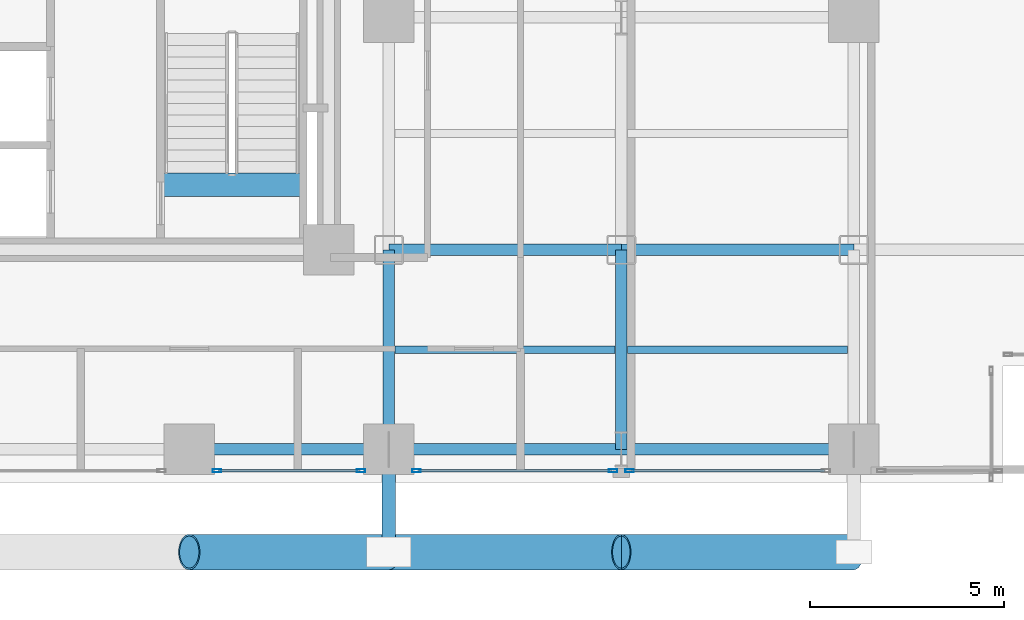
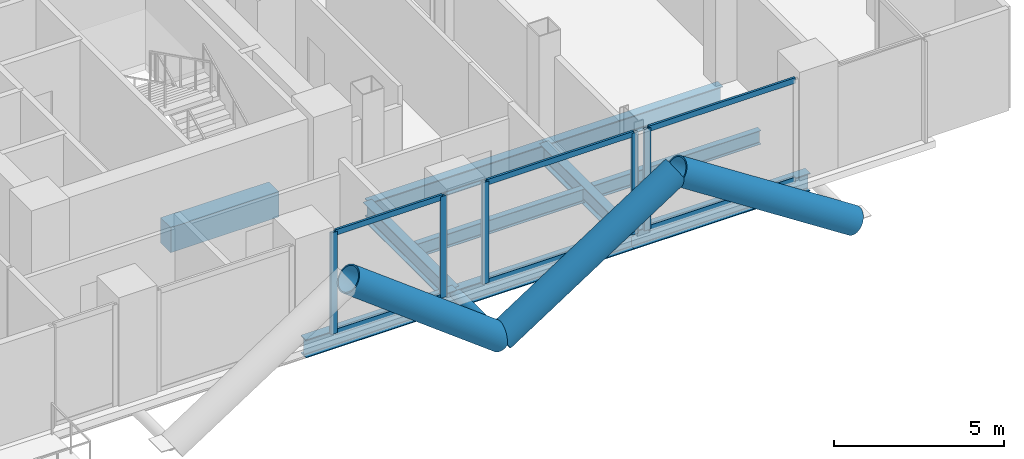
# One storey, part 8 of 25: 15 members, 10 beams, 3 elements without a shape of their own.
"""IFC4 building model written with IfcOpenShell, lengths in metres."""

from ifc_helpers import new_model, si_unit, direction, frame, origin, origin_2d, place, context, subcontext, project, spatial, rectangle, hollow_rectangle, hollow_circle, i_section, extrude, material, layer, layer_set, material_profile, profile_set, type_object, element, aggregate, save


model = new_model("IFC4")

# Units and contexts
model_context = context("Model", 3, precision=1e-05, world=origin(), true_north=direction((0.0, 1.0)))
body_context = subcontext(model_context, "Body", "Model", "MODEL_VIEW")
ifc_project = project(units=[si_unit("LENGTHUNIT", "METRE"), si_unit("AREAUNIT", "SQUARE_METRE"), si_unit("VOLUMEUNIT", "CUBIC_METRE"), si_unit("PLANEANGLEUNIT", "RADIAN"), si_unit("MASSUNIT", "GRAM", prefix="KILO"), si_unit("THERMODYNAMICTEMPERATUREUNIT", "KELVIN"), si_unit("POWERUNIT", "WATT")], contexts=[model_context])

# Site, building, storey
site_placement = place(None, origin())
site = spatial("IfcSite", under=ifc_project, at=site_placement, CompositionType="ELEMENT")
building_placement = place(site_placement, origin())
building = spatial("IfcBuilding", under=site, at=building_placement, Name="Svarakhadi Broadcast Tower", CompositionType="ELEMENT")
storey_placement = place(building_placement, frame((0.0, 0.0, 67.5)))
storey = spatial("IfcBuildingStorey", under=building, at=storey_placement, Name="L15", CompositionType="ELEMENT", Elevation=67.5)

# Beams
ifc_material_1 = material(Name="Steel S355J2 (IS 2062 E350C)", Category="steel")
ifc_material_profile_1 = material_profile(ifc_material_1, i_section(OverallWidth=0.199951171875, OverallDepth=0.5, WebThickness=0.01025390625, FlangeThickness=0.01611328125, FilletRadius=0.02099609375, at=origin_2d()), Name="NPB 500x200x91")
ifc_profile_set_1 = profile_set([ifc_material_profile_1], Name="Steel S355J2 (IS 2062 E350C)")
beam_type_1 = type_object("IfcBeamType", Name="Beam_NPB500", PredefinedType="BEAM", material=ifc_profile_set_1)
for number, where, z_axis, x_axis, name in (
    (1, (35.31005859375, 3.425048828125, -0.5), (1.0, 0.0, 0.0), (0.0, 1.0, 0.0), "L15 Secondary Composite Beam SB022"),
    (2, (41.31005859375, 3.425048828125, -0.5), (1.0, 0.0, 0.0), (0.0, 1.0, 0.0), "L15 Secondary Composite Beam SB025"),
):
    element("IfcBeam", number, at=place(storey_placement, frame(where, z_axis=z_axis, x_axis=x_axis)), inside=storey, type_object=beam_type_1, Name=name, PredefinedType="BEAM", context=body_context, shape_type="SweptSolid", body=[
        extrude(i_section(OverallWidth=0.199951171875, OverallDepth=0.5, WebThickness=0.01025390625, FlangeThickness=0.01611328125, FilletRadius=0.02099609375, at=origin_2d()), origin(), (0.0, 0.0, 1.0), 5.679931640625),
    ])

# Curtain wall, member
ifc_material_2 = material(Name="Anodised Bronze Aluminium AA 6063-T6", Category="aluminium")
ifc_layer = layer(ifc_material_2, 0.219970703125)
ifc_layer_set = layer_set([ifc_layer], Name="Anodised Bronze Aluminium AA 6063-T6")
curtain_wall_type = type_object("IfcCurtainWallType", Name="CW_Sys_02", PredefinedType="NOTDEFINED", material=ifc_layer_set)
curtain_wall_1_placement = place(storey_placement, origin())
curtain_wall_1 = element("IfcCurtainWall", 3, at=curtain_wall_1_placement, inside=storey, type_object=curtain_wall_type, Name="L15 South Curtain Wall 16 Bay 2", PredefinedType="NOTDEFINED")
ifc_material_profile_2 = material_profile(ifc_material_2, hollow_rectangle(XDim=0.0849609375, YDim=0.219970703125, WallThickness=0.006103515625, at=origin_2d()), Name="ALU MULLION 220x85x6")
ifc_profile_set_2 = profile_set([ifc_material_profile_2], Name="Anodised Bronze Aluminium AA 6063-T6")
member_type_1 = type_object("IfcMemberType", Name="CW_Sys_02_Mul", PredefinedType="MULLION", material=ifc_profile_set_2)
member_1_placement = place(storey_placement, frame((41.362548828125, 0.300048828125, 0.0), z_axis=(0.0, 0.0, 1.0), x_axis=(0.0, -1.0, 0.0)))
member_1 = element("IfcMember", 4, at=member_1_placement, type_object=member_type_1, Name="CW-02 mullion 2", PredefinedType="MULLION", context=body_context, shape_type="SweptSolid", body=[
    extrude(hollow_rectangle(XDim=0.0849609375, YDim=0.219970703125, WallThickness=0.006103515625, at=origin_2d()), origin(), (0.0, 0.0, 1.0), 3.64990234375),
])

# Curtain wall, members
curtain_wall_2_placement = place(storey_placement, origin())
curtain_wall_2 = element("IfcCurtainWall", 5, at=curtain_wall_2_placement, inside=storey, type_object=curtain_wall_type, Name="L15 South Curtain Wall 16 Bay 3", PredefinedType="NOTDEFINED")
member_2_placement = place(storey_placement, frame((40.9375, 0.300048828125, 0.0), z_axis=(0.0, 0.0, 1.0), x_axis=(0.0, -1.0, 0.0)))
member_2 = element("IfcMember", 6, at=member_2_placement, type_object=member_type_1, Name="CW-02 mullion 1", PredefinedType="MULLION", context=body_context, shape_type="SweptSolid", body=[
    extrude(hollow_rectangle(XDim=0.0849609375, YDim=0.219970703125, WallThickness=0.006103515625, at=origin_2d()), origin(), (0.0, 0.0, 1.0), 3.64990234375),
])
member_3_placement = place(storey_placement, frame((35.862548828125, 0.300048828125, 0.0), z_axis=(0.0, 0.0, 1.0), x_axis=(0.0, -1.0, 0.0)))
member_3 = element("IfcMember", 7, at=member_3_placement, type_object=member_type_1, Name="CW-02 mullion 2", PredefinedType="MULLION", context=body_context, shape_type="SweptSolid", body=[
    extrude(hollow_rectangle(XDim=0.0849609375, YDim=0.219970703125, WallThickness=0.006103515625, at=origin_2d()), origin(), (0.0, 0.0, 1.0), 3.64990234375),
])

curtain_wall_3_placement = place(storey_placement, origin())
curtain_wall_3 = element("IfcCurtainWall", 8, at=curtain_wall_3_placement, inside=storey, type_object=curtain_wall_type, Name="L15 South Curtain Wall 16 Bay 4", PredefinedType="NOTDEFINED")
member_4_placement = place(storey_placement, frame((34.4375, 0.300048828125, 0.0), z_axis=(0.0, 0.0, 1.0), x_axis=(0.0, -1.0, 0.0)))
member_4 = element("IfcMember", 9, at=member_4_placement, type_object=member_type_1, Name="CW-02 mullion 1", PredefinedType="MULLION", context=body_context, shape_type="SweptSolid", body=[
    extrude(hollow_rectangle(XDim=0.0849609375, YDim=0.219970703125, WallThickness=0.006103515625, at=origin_2d()), origin(), (0.0, 0.0, 1.0), 3.64990234375),
])
member_5_placement = place(storey_placement, frame((30.71240234375, 0.300048828125, 0.0), z_axis=(0.0, 0.0, 1.0), x_axis=(0.0, -1.0, 0.0)))
member_5 = element("IfcMember", 10, at=member_5_placement, type_object=member_type_1, Name="CW-02 mullion 2", PredefinedType="MULLION", context=body_context, shape_type="SweptSolid", body=[
    extrude(hollow_rectangle(XDim=0.0849609375, YDim=0.219970703125, WallThickness=0.006103515625, at=origin_2d()), origin(), (0.0, 0.0, 1.0), 3.64990234375),
])

# Member
ifc_material_profile_3 = material_profile(ifc_material_2, hollow_rectangle(XDim=0.074951171875, YDim=0.199951171875, WallThickness=0.0048828125, at=origin_2d()), Name="ALU TRANSOM 200x75x5")
ifc_profile_set_3 = profile_set([ifc_material_profile_3], Name="Anodised Bronze Aluminium AA 6063-T6")
member_type_2 = type_object("IfcMemberType", Name="CW_Sys_02_Trn", PredefinedType="USERDEFINED", material=ifc_profile_set_3)
member_6_placement = place(storey_placement, frame((46.39501953125, 0.300048828125, 0.03759765625), z_axis=(-1.0, 0.0, 0.0), x_axis=(0.0, -1.0, 0.0)))
member_6 = element("IfcMember", 11, at=member_6_placement, type_object=member_type_2, Name="CW-02 transom 1.1", ObjectType="TRANSOM", PredefinedType="USERDEFINED", context=body_context, shape_type="SweptSolid", body=[
    extrude(hollow_rectangle(XDim=0.074951171875, YDim=0.199951171875, WallThickness=0.0048828125, at=origin_2d()), origin(), (0.0, 0.0, 1.0), 4.989990234375),
])

member_7_placement = place(storey_placement, frame((46.39501953125, 0.300048828125, 3.612548828125), z_axis=(-1.0, 0.0, 0.0), x_axis=(0.0, -1.0, 0.0)))
member_7 = element("IfcMember", 12, at=member_7_placement, type_object=member_type_2, Name="CW-02 transom 1.2", ObjectType="TRANSOM", PredefinedType="USERDEFINED", context=body_context, shape_type="SweptSolid", body=[
    extrude(hollow_rectangle(XDim=0.074951171875, YDim=0.199951171875, WallThickness=0.0048828125, at=origin_2d()), origin(), (0.0, 0.0, 1.0), 4.989990234375),
])

aggregate(curtain_wall_1, [member_1, member_6, member_7])

member_8_placement = place(storey_placement, frame((40.89501953125, 0.300048828125, 0.03759765625), z_axis=(-1.0, 0.0, 0.0), x_axis=(0.0, -1.0, 0.0)))
member_8 = element("IfcMember", 13, at=member_8_placement, type_object=member_type_2, Name="CW-02 transom 1.1", ObjectType="TRANSOM", PredefinedType="USERDEFINED", context=body_context, shape_type="SweptSolid", body=[
    extrude(hollow_rectangle(XDim=0.074951171875, YDim=0.199951171875, WallThickness=0.0048828125, at=origin_2d()), origin(), (0.0, 0.0, 1.0), 4.989990234375),
])

member_9_placement = place(storey_placement, frame((40.89501953125, 0.300048828125, 3.612548828125), z_axis=(-1.0, 0.0, 0.0), x_axis=(0.0, -1.0, 0.0)))
member_9 = element("IfcMember", 14, at=member_9_placement, type_object=member_type_2, Name="CW-02 transom 1.2", ObjectType="TRANSOM", PredefinedType="USERDEFINED", context=body_context, shape_type="SweptSolid", body=[
    extrude(hollow_rectangle(XDim=0.074951171875, YDim=0.199951171875, WallThickness=0.0048828125, at=origin_2d()), origin(), (0.0, 0.0, 1.0), 4.989990234375),
])

aggregate(curtain_wall_2, [member_2, member_3, member_8, member_9])

member_10_placement = place(storey_placement, frame((34.39501953125, 0.300048828125, 0.03759765625), z_axis=(-1.0, 0.0, 0.0), x_axis=(0.0, -1.0, 0.0)))
member_10 = element("IfcMember", 15, at=member_10_placement, type_object=member_type_2, Name="CW-02 transom 1.1", ObjectType="TRANSOM", PredefinedType="USERDEFINED", context=body_context, shape_type="SweptSolid", body=[
    extrude(hollow_rectangle(XDim=0.074951171875, YDim=0.199951171875, WallThickness=0.0048828125, at=origin_2d()), origin(), (0.0, 0.0, 1.0), 3.64013671875),
])

member_11_placement = place(storey_placement, frame((34.39501953125, 0.300048828125, 3.612548828125), z_axis=(-1.0, 0.0, 0.0), x_axis=(0.0, -1.0, 0.0)))
member_11 = element("IfcMember", 16, at=member_11_placement, type_object=member_type_2, Name="CW-02 transom 1.2", ObjectType="TRANSOM", PredefinedType="USERDEFINED", context=body_context, shape_type="SweptSolid", body=[
    extrude(hollow_rectangle(XDim=0.074951171875, YDim=0.199951171875, WallThickness=0.0048828125, at=origin_2d()), origin(), (0.0, 0.0, 1.0), 3.64013671875),
])

aggregate(curtain_wall_3, [member_4, member_5, member_10, member_11])

# Beam
ifc_material_3 = material(Name="Concrete C50/60 (IS 456 M60)", Category="concrete")
ifc_material_profile_4 = material_profile(ifc_material_3, rectangle(XDim=0.60009765625, YDim=0.89990234375, at=origin_2d()), Name="RC 600x900")
ifc_profile_set_4 = profile_set([ifc_material_profile_4], Name="Concrete C50/60 (IS 456 M60)")
beam_type_2 = type_object("IfcBeamType", Name="Coupling_RC600", PredefinedType="USERDEFINED", material=ifc_profile_set_4)
beam_1_placement = place(storey_placement, frame((29.260009765625, 7.679931640625, -0.449951171875), z_axis=(1.0, 0.0, 0.0), x_axis=(0.0, 1.0, 0.0)))
element("IfcBeam", 17, at=beam_1_placement, inside=storey, type_object=beam_type_2, Name="L15 Stair ST-02 Landing Throat Trimmer Beam CB-01", ObjectType="GIRDER", PredefinedType="USERDEFINED", context=body_context, shape_type="SweptSolid", body=[
    extrude(rectangle(XDim=0.60009765625, YDim=0.89990234375, at=origin_2d()), origin(), (0.0, 0.0, 1.0), 3.679931640625),
])

# Members
ifc_material_4 = material(Name="Steel S460ML (IS 2062 E450BR)", Category="steel")
ifc_material_profile_5 = material_profile(ifc_material_4, hollow_circle(Radius=0.45703125, WallThickness=0.044921875, at=origin_2d()), Name="CHS 914x45")
ifc_profile_set_5 = profile_set([ifc_material_profile_5], Name="Steel S460ML (IS 2062 E450BR)")
member_type_3 = type_object("IfcMemberType", Name="Exo_Brace_CHS914", PredefinedType="BRACE", material=ifc_profile_set_5)
member_12_placement = place(storey_placement, frame((35.14990234375, -1.800048828125, -0.427734375), z_axis=(-0.797206791841, 0.0, 0.603706328476), x_axis=(0.0, -1.0, 0.0)))
element("IfcMember", 18, at=member_12_placement, inside=storey, type_object=member_type_3, Name="L15 Exposed Bronze Exoskeleton Diagonal S02", PredefinedType="BRACE", context=body_context, shape_type="SweptSolid", body=[
    extrude(hollow_circle(Radius=0.45703125, WallThickness=0.044921875, at=origin_2d()), origin(), (0.0, 0.0, 1.0), 6.4599609375),
])
for number, where, z_axis, x_axis, name in (
    (19, (35.14990234375, -1.800048828125, -0.427734375), (0.838449851971, 0.0, 0.544978757136), (0.0, 1.0, 0.0), "L15 Exposed Bronze Exoskeleton Diagonal S03"),
    (20, (47.14990234375, -1.800048828125, -0.427734375), (-0.838449851971, 0.0, 0.544978757136), (0.0, -1.0, 0.0), "L15 Exposed Bronze Exoskeleton Diagonal S04"),
):
    element("IfcMember", number, at=place(storey_placement, frame(where, z_axis=z_axis, x_axis=x_axis)), inside=storey, type_object=member_type_3, Name=name, PredefinedType="BRACE", context=body_context, shape_type="SweptSolid", body=[
        extrude(hollow_circle(Radius=0.45703125, WallThickness=0.044921875, at=origin_2d()), origin(), (0.0, 0.0, 1.0), 7.156005859375),
    ])
ifc_material_profile_6 = material_profile(ifc_material_4, hollow_circle(Radius=0.177734375, WallThickness=0.02001953125, at=origin_2d()), Name="CHS 355.6x20")
ifc_profile_set_6 = profile_set([ifc_material_profile_6], Name="Steel S460ML (IS 2062 E450BR)")
member_type_4 = type_object("IfcMemberType", Name="Exo_Radial_Strut_Z1", PredefinedType="STRUT", material=ifc_profile_set_6)
member_13_placement = place(storey_placement, frame((35.14990234375, -1.800048828125, -0.427734375), z_axis=(0.0, 1.0, 0.0), x_axis=(-1.0, 0.0, 0.0)))
element("IfcMember", 21, at=member_13_placement, inside=storey, type_object=member_type_4, Name="L15 Exoskeleton Radial Tie Strut S02", PredefinedType="STRUT", context=body_context, shape_type="SweptSolid", body=[
    extrude(hollow_circle(Radius=0.177734375, WallThickness=0.02001953125, at=origin_2d()), origin(), (0.0, 0.0, 1.0), 2.650146484375),
])

# Beams
ifc_material_profile_7 = material_profile(ifc_material_1, i_section(OverallWidth=0.300048828125, OverallDepth=0.64990234375, WebThickness=0.01611328125, FlangeThickness=0.031005859375, FilletRadius=0.027099609375, at=origin_2d()), Name="WPB 650x300x225")
ifc_profile_set_7 = profile_set([ifc_material_profile_7], Name="Steel S355J2 (IS 2062 E350C)")
beam_type_3 = type_object("IfcBeamType", Name="Girder_WPB650", PredefinedType="USERDEFINED", material=ifc_profile_set_7)
beam_2_placement = place(storey_placement, frame((30.0, 0.85009765625, -0.574951171875), z_axis=(1.0, 0.0, 0.0), x_axis=(0.0, 1.0, 0.0)))
element("IfcBeam", 22, at=beam_2_placement, inside=storey, type_object=beam_type_3, Name="L15 Primary E-W Girder G008", ObjectType="GIRDER", PredefinedType="USERDEFINED", context=body_context, shape_type="SweptSolid", body=[
    extrude(i_section(OverallWidth=0.300048828125, OverallDepth=0.64990234375, WebThickness=0.01611328125, FlangeThickness=0.031005859375, FilletRadius=0.027099609375, at=origin_2d()), origin(), (0.0, 0.0, 1.0), 5.14990234375),
])
for number, where, z_axis, x_axis, name in (
    (23, (35.14990234375, 0.85009765625, -0.574951171875), (1.0, 0.0, 0.0), (0.0, 1.0, 0.0), "L15 Primary E-W Girder G009"),
    (24, (41.14990234375, 0.85009765625, -0.574951171875), (1.0, 0.0, 0.0), (0.0, 1.0, 0.0), "L15 Primary E-W Girder G010"),
    (25, (35.14990234375, 6.0, -0.574951171875), (1.0, 0.0, 0.0), (0.0, 1.0, 0.0), "L15 Primary E-W Girder G016"),
    (26, (41.14990234375, 6.0, -0.574951171875), (1.0, 0.0, 0.0), (0.0, 1.0, 0.0), "L15 Primary E-W Girder G017"),
):
    element("IfcBeam", number, at=place(storey_placement, frame(where, z_axis=z_axis, x_axis=x_axis)), inside=storey, type_object=beam_type_3, Name=name, ObjectType="GIRDER", PredefinedType="USERDEFINED", context=body_context, shape_type="SweptSolid", body=[
        extrude(i_section(OverallWidth=0.300048828125, OverallDepth=0.64990234375, WebThickness=0.01611328125, FlangeThickness=0.031005859375, FilletRadius=0.027099609375, at=origin_2d()), origin(), (0.0, 0.0, 1.0), 6.0),
    ])
for number, where, z_axis, x_axis, name in (
    (27, (35.14990234375, 0.85009765625, -0.574951171875), (0.0, 1.0, 0.0), (-1.0, 0.0, 0.0), "L15 Primary N-S Girder G076"),
    (28, (41.14990234375, 0.85009765625, -0.574951171875), (0.0, 1.0, 0.0), (-1.0, 0.0, 0.0), "L15 Primary N-S Girder G079"),
):
    element("IfcBeam", number, at=place(storey_placement, frame(where, z_axis=z_axis, x_axis=x_axis)), inside=storey, type_object=beam_type_3, Name=name, ObjectType="GIRDER", PredefinedType="USERDEFINED", context=body_context, shape_type="SweptSolid", body=[
        extrude(i_section(OverallWidth=0.300048828125, OverallDepth=0.64990234375, WebThickness=0.01611328125, FlangeThickness=0.031005859375, FilletRadius=0.027099609375, at=origin_2d()), origin(), (0.0, 0.0, 1.0), 5.14990234375),
    ])

save(model, "model.ifc")
